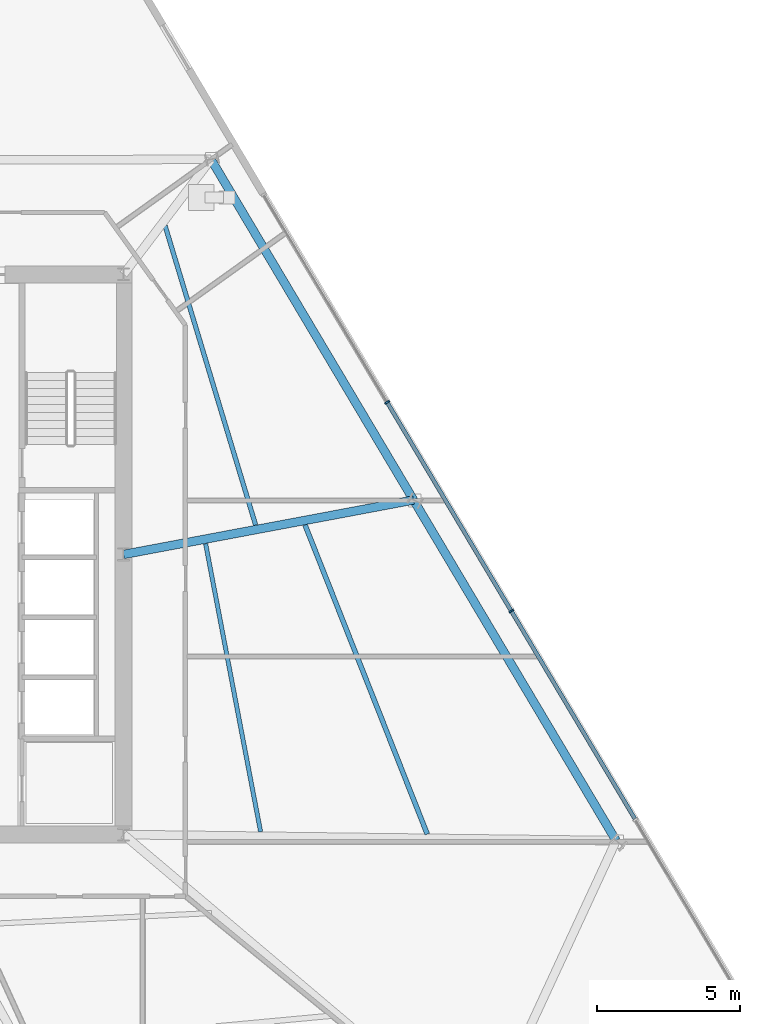
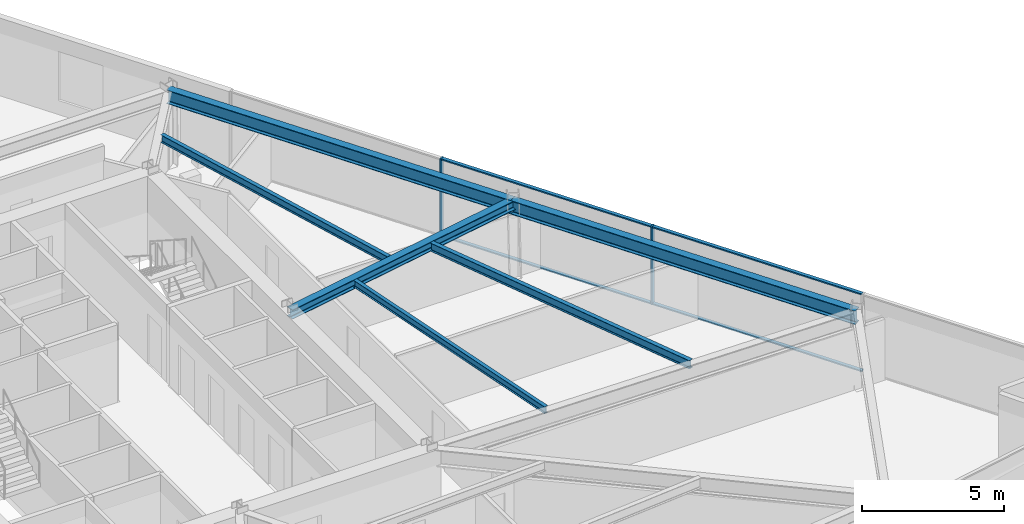
# One storey, part 6 of 16: 6 beams, 6 members, 1 element without a shape of its own.
"""IFC4 building model written with IfcOpenShell, lengths in metres."""

from ifc_helpers import new_model, si_unit, direction, frame, origin, origin_2d, place, context, subcontext, project, spatial, rectangle, i_section, extrude, material, material_profile, profile_set, type_object, element, aggregate, save


model = new_model("IFC4")

# Units and contexts
model_context = context("Model", 3, precision=1e-05, world=origin(), true_north=direction((0.0, 1.0)))
body_context = subcontext(model_context, "Body", "Model", "MODEL_VIEW")
ifc_project = project(units=[si_unit("LENGTHUNIT", "METRE"), si_unit("AREAUNIT", "SQUARE_METRE"), si_unit("VOLUMEUNIT", "CUBIC_METRE"), si_unit("PLANEANGLEUNIT", "RADIAN"), si_unit("MASSUNIT", "GRAM", prefix="KILO")], contexts=[model_context])

# Site, building, storey
site_placement = place(None, origin())
site = spatial("IfcSite", under=ifc_project, at=site_placement, CompositionType="ELEMENT")
building_placement = place(site_placement, origin())
building = spatial("IfcBuilding", under=site, at=building_placement, Name="Savorim Split Tower", CompositionType="ELEMENT")
storey_placement = place(building_placement, frame((0.0, 0.0, 33.60009765625)))
storey = spatial("IfcBuildingStorey", under=building, at=storey_placement, Name="L08", CompositionType="ELEMENT", Elevation=33.60009765625)

# Beams
ifc_material_1 = material(Name="Steel S355", Category="steel")
ifc_material_profile_1 = material_profile(ifc_material_1, i_section(OverallWidth=0.14990234375, OverallDepth=0.300048828125, WebThickness=0.007080078125, FlangeThickness=0.0107421875, FilletRadius=0.014892578125, at=origin_2d()), Name="IPE 300")
ifc_profile_set_1 = profile_set([ifc_material_profile_1], Name="Steel S355")
beam_type_1 = type_object("IfcBeamType", Name="BM-JST-IPE300", PredefinedType="JOIST", material=ifc_profile_set_1)
beam_1_placement = place(storey_placement, frame((12.4951171875, -9.302490234375, 3.199951171875), z_axis=(-0.187538494681, 0.982257253988, 0.0), x_axis=(-0.982257253988, -0.187538494681, 0.0)))
element("IfcBeam", 1, at=beam_1_placement, inside=storey, type_object=beam_type_1, Name="L08 Secondary Floor Joist JS-08", PredefinedType="JOIST", context=body_context, shape_type="SweptSolid", body=[
    extrude(i_section(OverallWidth=0.14990234375, OverallDepth=0.300048828125, WebThickness=0.007080078125, FlangeThickness=0.0107421875, FilletRadius=0.014892578125, at=origin_2d()), origin(), (0.0, 0.0, 1.0), 10.260986328125),
])
ifc_material_profile_2 = material_profile(ifc_material_1, i_section(OverallWidth=0.159912109375, OverallDepth=0.330078125, WebThickness=0.007568359375, FlangeThickness=0.011474609375, FilletRadius=0.01806640625, at=origin_2d()), Name="IPE 330")
ifc_profile_set_2 = profile_set([ifc_material_profile_2], Name="Steel S355")
beam_type_2 = type_object("IfcBeamType", Name="BM-JST-IPE330", PredefinedType="JOIST", material=ifc_profile_set_2)
beam_2_placement = place(storey_placement, frame((12.32080078125, 1.429443359375, 3.184814453125), z_axis=(-0.289597836167, 0.957148417586, 0.0), x_axis=(-0.957148417586, -0.289597836167, 0.0)))
element("IfcBeam", 2, at=beam_2_placement, inside=storey, type_object=beam_type_2, Name="L08 Secondary Floor Joist JS-07", PredefinedType="JOIST", context=body_context, shape_type="SweptSolid", body=[
    extrude(i_section(OverallWidth=0.159912109375, OverallDepth=0.330078125, WebThickness=0.007568359375, FlangeThickness=0.011474609375, FilletRadius=0.01806640625, at=origin_2d()), origin(), (0.0, 0.0, 1.0), 10.936767578125),
])
ifc_material_profile_3 = material_profile(ifc_material_1, i_section(OverallWidth=0.169921875, OverallDepth=0.360107421875, WebThickness=0.008056640625, FlangeThickness=0.0126953125, FilletRadius=0.01806640625, at=origin_2d()), Name="IPE 360")
ifc_profile_set_3 = profile_set([ifc_material_profile_3], Name="Steel S355")
beam_type_3 = type_object("IfcBeamType", Name="BM-JST-IPE360", PredefinedType="JOIST", material=ifc_profile_set_3)
beam_3_placement = place(storey_placement, frame((18.3251953125, -9.383056640625, 3.169921875), z_axis=(-0.36767788829, 0.929953208749, 0.0), x_axis=(-0.929953208749, -0.36767788829, 0.0)))
element("IfcBeam", 3, at=beam_3_placement, inside=storey, type_object=beam_type_3, Name="L08 Secondary Floor Joist JS-06", PredefinedType="JOIST", context=body_context, shape_type="SweptSolid", body=[
    extrude(i_section(OverallWidth=0.169921875, OverallDepth=0.360107421875, WebThickness=0.008056640625, FlangeThickness=0.0126953125, FilletRadius=0.01806640625, at=origin_2d()), origin(), (0.0, 0.0, 1.0), 11.630126953125),
])
ifc_material_profile_4 = material_profile(ifc_material_1, i_section(OverallWidth=0.300048828125, OverallDepth=0.39990234375, WebThickness=0.013427734375, FlangeThickness=0.02392578125, FilletRadius=0.027099609375, at=origin_2d()), Name="HEB 400")
ifc_profile_set_4 = profile_set([ifc_material_profile_4], Name="Steel S355")
beam_type_4 = type_object("IfcBeamType", Name="BM-PRI-HEB400", PredefinedType="BEAM", material=ifc_profile_set_4)
beam_4_placement = place(storey_placement, frame((17.845703125, 2.30517578125, 3.14990234375), z_axis=(-0.982820475414, -0.184564116518, 0.0), x_axis=(0.184564116518, -0.982820475414, 0.0)))
element("IfcBeam", 4, at=beam_4_placement, inside=storey, type_object=beam_type_4, Name="L08 Primary Floor Girder RG-06", PredefinedType="BEAM", context=body_context, shape_type="SweptSolid", body=[
    extrude(i_section(OverallWidth=0.300048828125, OverallDepth=0.39990234375, WebThickness=0.013427734375, FlangeThickness=0.02392578125, FilletRadius=0.027099609375, at=origin_2d()), origin(), (0.0, 0.0, 1.0), 10.322998046875),
])
ifc_material_profile_5 = material_profile(ifc_material_1, i_section(OverallWidth=0.300048828125, OverallDepth=0.590087890625, WebThickness=0.012939453125, FlangeThickness=0.02490234375, FilletRadius=0.027099609375, at=origin_2d()), Name="HEA 600")
ifc_profile_set_5 = profile_set([ifc_material_profile_5], Name="Steel S355")
beam_type_5 = type_object("IfcBeamType", Name="BM-SPN-HEA600", PredefinedType="SPANDREL", material=ifc_profile_set_5)
for number, where, z_axis, x_axis, name in (
    (5, (24.932373046875, -9.61279296875, 3.054931640625), (-0.511091917005, 0.859526062649, 0.0), (-0.859526062649, -0.511091917005, 0.0), "L08 Perimeter Spandrel Beam 5"),
    (6, (17.845703125, 2.30517578125, 3.054931640625), (-0.511091917005, 0.859526062649, 0.0), (-0.859526062649, -0.511091917005, 0.0), "L08 Perimeter Spandrel Beam 6"),
):
    element("IfcBeam", number, at=place(storey_placement, frame(where, z_axis=z_axis, x_axis=x_axis)), inside=storey, type_object=beam_type_5, Name=name, PredefinedType="SPANDREL", context=body_context, shape_type="SweptSolid", body=[
        extrude(i_section(OverallWidth=0.300048828125, OverallDepth=0.590087890625, WebThickness=0.012939453125, FlangeThickness=0.02490234375, FilletRadius=0.027099609375, at=origin_2d()), origin(), (0.0, 0.0, 1.0), 13.86572265625),
    ])

# Curtain wall, members
ifc_material_2 = material(Name="Dark Ceramic-Fritted Insulated Glass", Category="glass")
curtain_wall_type = type_object("IfcCurtainWallType", Name="CW-TWR-FRIT-A", PredefinedType="NOTDEFINED", material=ifc_material_2)
curtain_wall_placement = place(storey_placement, origin())
curtain_wall = element("IfcCurtainWall", 7, at=curtain_wall_placement, inside=storey, type_object=curtain_wall_type, Name="L08 Curtain Wall CW-L08-EAST", PredefinedType="NOTDEFINED")
ifc_material_3 = material(Name="Charcoal Anodised Aluminium", Category="aluminium")
ifc_material_profile_6 = material_profile(ifc_material_3, rectangle(XDim=0.179931640625, YDim=0.06494140625, at=origin_2d()), Name="ALU-M 180x65")
ifc_profile_set_6 = profile_set([ifc_material_profile_6], Name="Charcoal Anodised Aluminium")
member_type_1 = type_object("IfcMemberType", Name="CWM-180x65", PredefinedType="MULLION", material=ifc_profile_set_6)
member_1_placement = place(storey_placement, frame((21.263916015625, -1.5791015625, 0.0), z_axis=(0.0, 0.0, 1.0), x_axis=(-0.859525752007, -0.511092439425, 0.0)))
member_1 = element("IfcMember", 8, at=member_1_placement, type_object=member_type_1, Name="CW-02 mullion 3", PredefinedType="MULLION", context=body_context, shape_type="SweptSolid", body=[
    extrude(rectangle(XDim=0.179931640625, YDim=0.06494140625, at=origin_2d()), origin(), (0.0, 0.0, 1.0), 3.349853515625),
])
member_2_placement = place(storey_placement, frame((16.92333984375, 5.72021484375, 0.0), z_axis=(0.0, 0.0, 1.0), x_axis=(-0.859525752007, -0.511092439425, 0.0)))
member_2 = element("IfcMember", 9, at=member_2_placement, type_object=member_type_1, Name="CW-02 mullion 4", PredefinedType="MULLION", context=body_context, shape_type="SweptSolid", body=[
    extrude(rectangle(XDim=0.179931640625, YDim=0.06494140625, at=origin_2d()), origin(), (0.0, 0.0, 1.0), 3.349853515625),
])
ifc_material_profile_7 = material_profile(ifc_material_3, rectangle(XDim=0.139892578125, YDim=0.054931640625, at=origin_2d()), Name="ALU-T 140x55")
ifc_profile_set_7 = profile_set([ifc_material_profile_7], Name="Charcoal Anodised Aluminium")
member_type_2 = type_object("IfcMemberType", Name="CWT-140x55", PredefinedType="USERDEFINED", material=ifc_profile_set_7)
member_3_placement = place(storey_placement, frame((25.587646484375, -8.8505859375, 0.02734375), z_axis=(-0.511096217662, 0.859523505375, 0.0), x_axis=(-0.859523505375, -0.511096217662, 0.0)))
member_3 = element("IfcMember", 10, at=member_3_placement, type_object=member_type_2, Name="CW-02 transom 2.1", ObjectType="TRANSOM", PredefinedType="USERDEFINED", context=body_context, shape_type="SweptSolid", body=[
    extrude(rectangle(XDim=0.139892578125, YDim=0.054931640625, at=origin_2d()), origin(), (0.0, 0.0, 1.0), 8.42724609375),
])
member_4_placement = place(storey_placement, frame((25.587646484375, -8.8505859375, 3.322509765625), z_axis=(-0.511096217662, 0.859523505375, 0.0), x_axis=(-0.859523505375, -0.511096217662, 0.0)))
member_4 = element("IfcMember", 11, at=member_4_placement, type_object=member_type_2, Name="CW-02 transom 2.2", ObjectType="TRANSOM", PredefinedType="USERDEFINED", context=body_context, shape_type="SweptSolid", body=[
    extrude(rectangle(XDim=0.139892578125, YDim=0.054931640625, at=origin_2d()), origin(), (0.0, 0.0, 1.0), 8.42724609375),
])
member_5_placement = place(storey_placement, frame((21.2470703125, -1.55126953125, 0.02734375), z_axis=(-0.511096217662, 0.859523505375, 0.0), x_axis=(-0.859523505375, -0.511096217662, 0.0)))
member_5 = element("IfcMember", 12, at=member_5_placement, type_object=member_type_2, Name="CW-02 transom 3.1", ObjectType="TRANSOM", PredefinedType="USERDEFINED", context=body_context, shape_type="SweptSolid", body=[
    extrude(rectangle(XDim=0.139892578125, YDim=0.054931640625, at=origin_2d()), origin(), (0.0, 0.0, 1.0), 8.42724609375),
])
member_6_placement = place(storey_placement, frame((21.2470703125, -1.55126953125, 3.322509765625), z_axis=(-0.511096217662, 0.859523505375, 0.0), x_axis=(-0.859523505375, -0.511096217662, 0.0)))
member_6 = element("IfcMember", 13, at=member_6_placement, type_object=member_type_2, Name="CW-02 transom 3.2", ObjectType="TRANSOM", PredefinedType="USERDEFINED", context=body_context, shape_type="SweptSolid", body=[
    extrude(rectangle(XDim=0.139892578125, YDim=0.054931640625, at=origin_2d()), origin(), (0.0, 0.0, 1.0), 8.42724609375),
])
aggregate(curtain_wall, [member_1, member_2, member_3, member_4, member_5, member_6])

save(model, "model.ifc")
